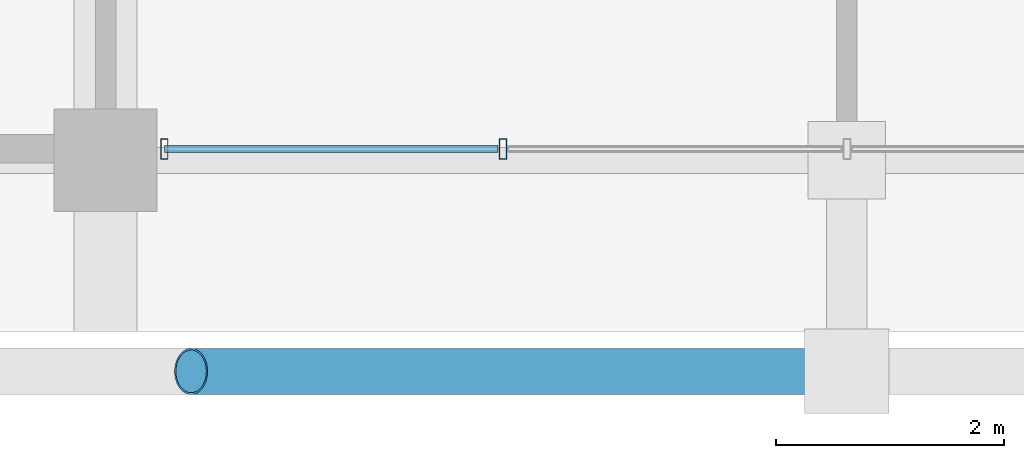
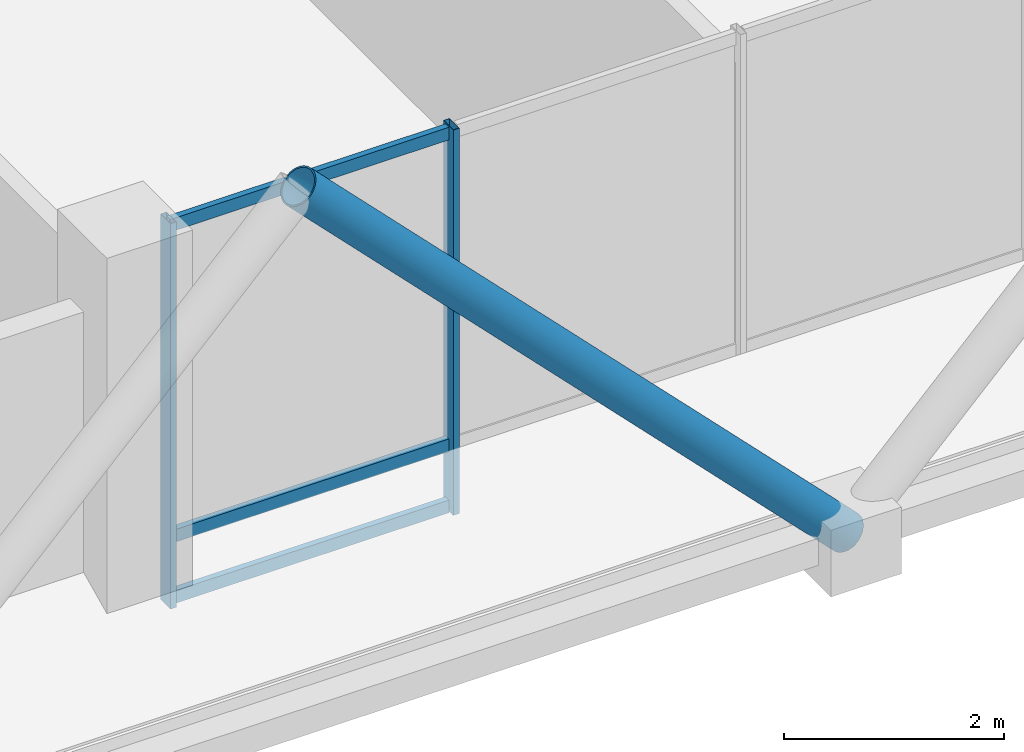
# One storey, part 2 of 27: 6 members, 1 element without a shape of its own.
"""IFC4 building model written with IfcOpenShell, lengths in metres."""

from ifc_helpers import new_model, si_unit, direction, frame, origin, origin_2d, place, context, subcontext, project, spatial, hollow_rectangle, hollow_circle, extrude, material, layer, layer_set, material_profile, profile_set, type_object, element, aggregate, save


model = new_model("IFC4")

# Units and contexts
model_context = context("Model", 3, precision=1e-05, world=origin(), true_north=direction((0.0, 1.0)))
body_context = subcontext(model_context, "Body", "Model", "MODEL_VIEW")
ifc_project = project(units=[si_unit("LENGTHUNIT", "METRE"), si_unit("AREAUNIT", "SQUARE_METRE"), si_unit("VOLUMEUNIT", "CUBIC_METRE"), si_unit("PLANEANGLEUNIT", "RADIAN"), si_unit("MASSUNIT", "GRAM", prefix="KILO")], contexts=[model_context])

# Site, building, storey
site_placement = place(None, origin())
site = spatial("IfcSite", under=ifc_project, at=site_placement, CompositionType="ELEMENT")
building_placement = place(site_placement, origin())
building = spatial("IfcBuilding", under=site, at=building_placement, Name="Barlavira Tower and Art Museum", CompositionType="ELEMENT")
storey_placement = place(building_placement, frame((0.0, 0.0, 217.800048828125)))
storey = spatial("IfcBuildingStorey", under=building, at=storey_placement, Name="L56", CompositionType="ELEMENT", Elevation=217.800048828125)

# Curtain wall, members
ifc_material_1 = material(Name="Low-iron coastal laminated glass", Category="glass")
ifc_layer = layer(ifc_material_1, 0.2099609375, Name="Low-iron coastal laminated glass")
ifc_layer_set = layer_set([ifc_layer], Name="Low-iron coastal laminated glass")
curtain_wall_type = type_object("IfcCurtainWallType", Name="Pale-Metal Unitised Curtain Wall Zone 4", PredefinedType="NOTDEFINED", material=ifc_layer_set)
curtain_wall_placement = place(storey_placement, origin())
curtain_wall = element("IfcCurtainWall", 1, at=curtain_wall_placement, inside=storey, type_object=curtain_wall_type, Name="L56 Curtain Wall CW4-L56-S-B2", PredefinedType="NOTDEFINED")
ifc_material_2 = material(Name="Pale anodised aluminium", Category="aluminium")
ifc_material_profile_1 = material_profile(ifc_material_2, hollow_rectangle(XDim=0.06494140625, YDim=0.179931640625, WallThickness=0.00390625, at=origin_2d()), Name="ALU-MULL 65x180x4")
ifc_profile_set_1 = profile_set([ifc_material_profile_1], Name="Pale anodised aluminium")
member_type_1 = type_object("IfcMemberType", Name="Curtain Wall Pale-Metal Mullion 65x180", PredefinedType="MULLION", material=ifc_profile_set_1)
member_1_placement = place(storey_placement, frame((-5.985107421875, -19.89990234375, 0.0), z_axis=(0.0, 0.0, 1.0), x_axis=(1.0, 0.0, 0.0)))
member_1 = element("IfcMember", 2, at=member_1_placement, type_object=member_type_1, Name="CW4-L56-S-B2 Mullion 0", PredefinedType="MULLION", context=body_context, shape_type="SweptSolid", body=[
    extrude(hollow_rectangle(XDim=0.06494140625, YDim=0.179931640625, WallThickness=0.00390625, at=origin_2d()), origin(), (0.0, 0.0, 1.0), 4.280029296875),
])
member_2_placement = place(storey_placement, frame((-3.014892578125, -19.89990234375, 0.0), z_axis=(0.0, 0.0, 1.0), x_axis=(1.0, 0.0, 0.0)))
member_2 = element("IfcMember", 3, at=member_2_placement, type_object=member_type_1, Name="CW4-L56-S-B2 Mullion 1", PredefinedType="MULLION", context=body_context, shape_type="SweptSolid", body=[
    extrude(hollow_rectangle(XDim=0.06494140625, YDim=0.179931640625, WallThickness=0.00390625, at=origin_2d()), origin(), (0.0, 0.0, 1.0), 4.280029296875),
])
ifc_material_profile_2 = material_profile(ifc_material_2, hollow_rectangle(XDim=0.06494140625, YDim=0.139892578125, WallThickness=0.00390625, at=origin_2d()), Name="ALU-TRAN 65x140x4")
ifc_profile_set_2 = profile_set([ifc_material_profile_2], Name="Pale anodised aluminium")
member_type_2 = type_object("IfcMemberType", Name="Curtain Wall Pale-Metal Transom 65x140", PredefinedType="USERDEFINED", material=ifc_profile_set_2)
member_3_placement = place(storey_placement, frame((-5.985107421875, -19.89990234375, 0.070068359375), z_axis=(1.0, 0.0, 0.0), x_axis=(0.0, 1.0, 0.0)))
member_3 = element("IfcMember", 4, at=member_3_placement, type_object=member_type_2, Name="CW4-L56-S-B2 Transom 0.1", ObjectType="TRANSOM", PredefinedType="USERDEFINED", context=body_context, shape_type="SweptSolid", body=[
    extrude(hollow_rectangle(XDim=0.06494140625, YDim=0.139892578125, WallThickness=0.00390625, at=origin_2d()), origin(), (0.0, 0.0, 1.0), 2.925048828125),
])
member_4_placement = place(storey_placement, frame((-5.985107421875, -19.89990234375, 0.75), z_axis=(1.0, 0.0, 0.0), x_axis=(0.0, 1.0, 0.0)))
member_4 = element("IfcMember", 5, at=member_4_placement, type_object=member_type_2, Name="CW4-L56-S-B2 Transom 0.2", ObjectType="TRANSOM", PredefinedType="USERDEFINED", context=body_context, shape_type="SweptSolid", body=[
    extrude(hollow_rectangle(XDim=0.06494140625, YDim=0.139892578125, WallThickness=0.00390625, at=origin_2d()), origin(), (0.0, 0.0, 1.0), 2.925048828125),
])
member_5_placement = place(storey_placement, frame((-5.985107421875, -19.89990234375, 4.2099609375), z_axis=(1.0, 0.0, 0.0), x_axis=(0.0, 1.0, 0.0)))
member_5 = element("IfcMember", 6, at=member_5_placement, type_object=member_type_2, Name="CW4-L56-S-B2 Transom 0.3", ObjectType="TRANSOM", PredefinedType="USERDEFINED", context=body_context, shape_type="SweptSolid", body=[
    extrude(hollow_rectangle(XDim=0.06494140625, YDim=0.139892578125, WallThickness=0.00390625, at=origin_2d()), origin(), (0.0, 0.0, 1.0), 2.925048828125),
])
aggregate(curtain_wall, [member_1, member_2, member_3, member_4, member_5])

# Member
ifc_material_3 = material(Name="Steel S355", Category="steel")
ifc_material_profile_3 = material_profile(ifc_material_3, hollow_circle(Radius=0.203125, WallThickness=0.01611328125, at=origin_2d()), Name="CHS 406.4x16.0")
ifc_profile_set_3 = profile_set([ifc_material_profile_3], Name="Steel S355")
member_type_3 = type_object("IfcMemberType", Name="Pale-Metal Exoskeleton Diagrid Tube CHS 406x16 Steel S355", PredefinedType="BRACE", material=ifc_profile_set_3)
member_6_placement = place(storey_placement, frame((0.0, -21.85009765625, -0.1201171875), z_axis=(-0.700979034508, 0.0, 0.713181879453), x_axis=(0.0, -1.0, 0.0)))
element("IfcMember", 7, at=member_6_placement, inside=storey, type_object=member_type_3, Name="L56 Exoskeleton Diagrid Tube S", PredefinedType="BRACE", context=body_context, shape_type="SweptSolid", body=[
    extrude(hollow_circle(Radius=0.203125, WallThickness=0.01611328125, at=origin_2d()), origin(), (0.0, 0.0, 1.0), 8.202880859375),
])

save(model, "model.ifc")
